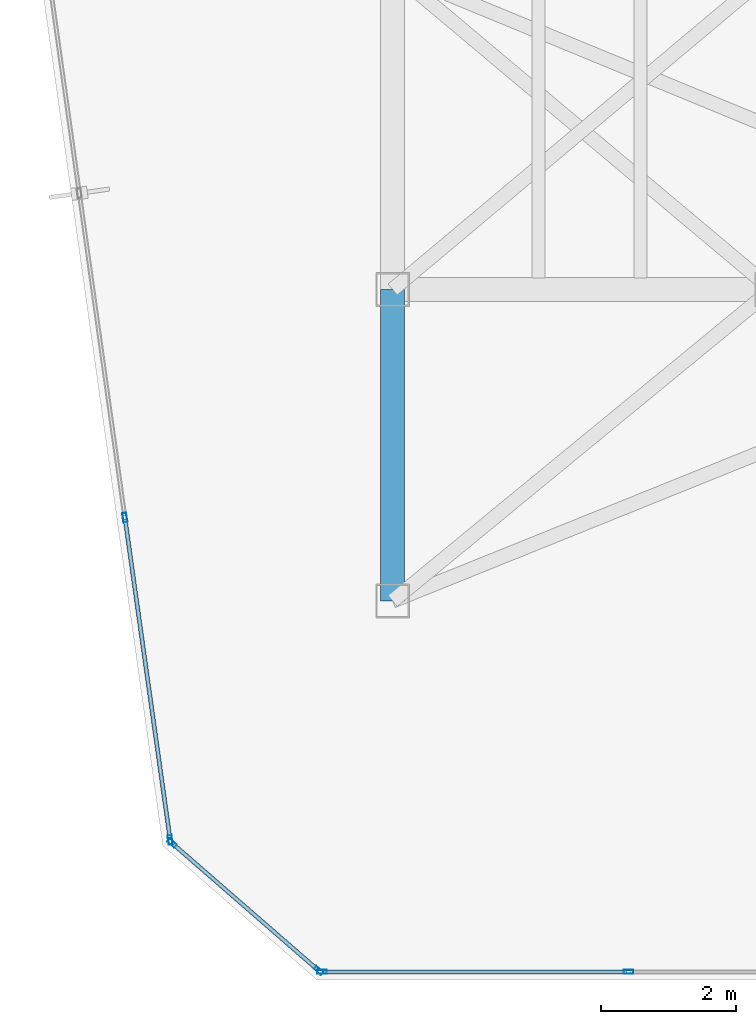
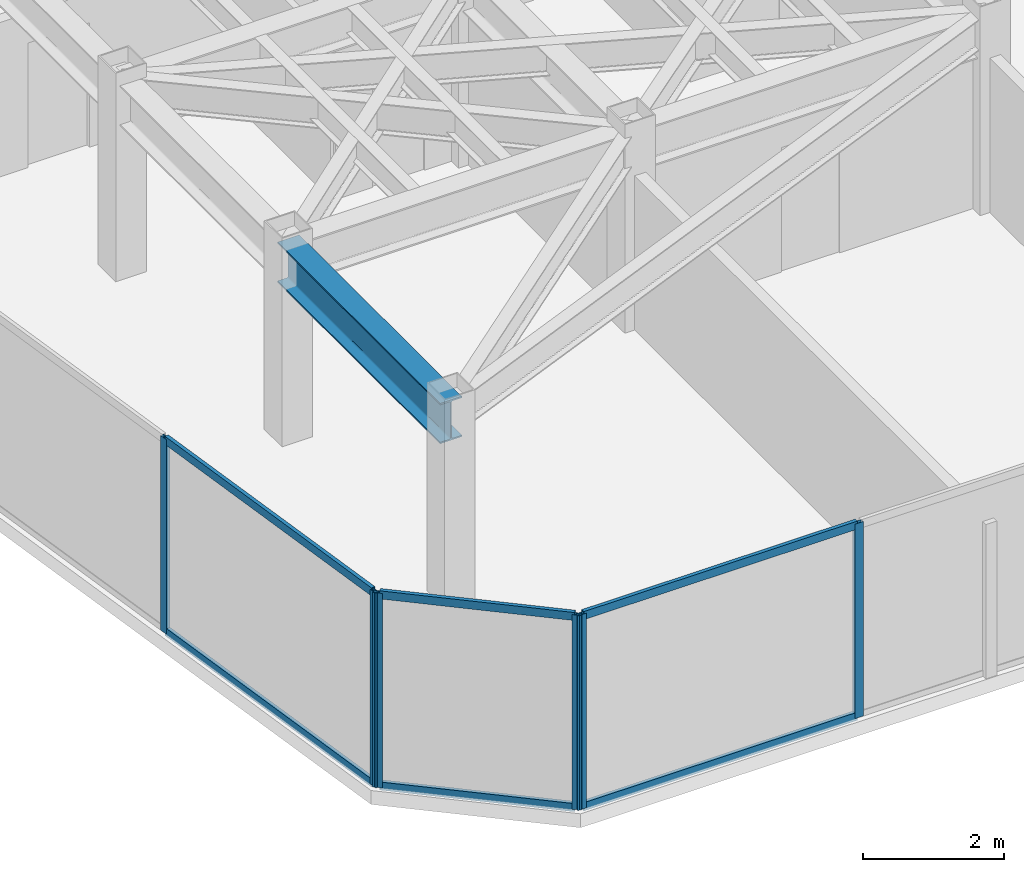
# One storey, part 2 of 20: 12 members, 1 beam, 3 elements without a shape of their own.
"""IFC4 building model written with IfcOpenShell, lengths in metres."""

from ifc_helpers import new_model, si_unit, direction, frame, origin, origin_2d, place, context, subcontext, project, spatial, hollow_rectangle, i_section, extrude, material, layer, layer_set, material_profile, profile_set, type_object, element, aggregate, save


model = new_model("IFC4")

# Units and contexts
model_context = context("Model", 3, precision=1e-05, world=origin(), true_north=direction((0.0, 1.0)))
body_context = subcontext(model_context, "Body", "Model", "MODEL_VIEW")
ifc_project = project(units=[si_unit("LENGTHUNIT", "METRE"), si_unit("AREAUNIT", "SQUARE_METRE"), si_unit("VOLUMEUNIT", "CUBIC_METRE"), si_unit("PLANEANGLEUNIT", "RADIAN"), si_unit("MASSUNIT", "GRAM", prefix="KILO")], contexts=[model_context])

# Site, building, storey
site_placement = place(None, origin())
site = spatial("IfcSite", under=ifc_project, at=site_placement, CompositionType="ELEMENT")
building_placement = place(site_placement, origin())
building = spatial("IfcBuilding", under=site, at=building_placement, Name="Kravanh Interchange Tower", CompositionType="ELEMENT")
storey_placement = place(building_placement, frame((0.0, 0.0, 238.199951171875)))
storey = spatial("IfcBuildingStorey", under=building, at=storey_placement, Name="L57", CompositionType="ELEMENT", Elevation=238.199951171875)

# Curtain wall, members
ifc_material_1 = material(Name="Anodised Bronze Aluminium", Category="aluminium")
ifc_layer = layer(ifc_material_1, 0.179931640625)
ifc_layer_set = layer_set([ifc_layer], Name="Unitised Curtain Wall System CW-HTL Luxury Hotel")
curtain_wall_type = type_object("IfcCurtainWallType", Name="Unitised Curtain Wall System CW-HTL Luxury Hotel", PredefinedType="NOTDEFINED", material=ifc_layer_set)
curtain_wall_1_placement = place(storey_placement, origin())
curtain_wall_1 = element("IfcCurtainWall", 1, at=curtain_wall_1_placement, inside=storey, type_object=curtain_wall_type, Name="L57 Unitised Curtain Wall CW-L57-01", PredefinedType="NOTDEFINED")
ifc_material_2 = material(Name="Anodised Bronze Aluminium", Category="aluminium")
ifc_material_profile_1 = material_profile(ifc_material_2, hollow_rectangle(XDim=0.06005859375, YDim=0.139892578125, WallThickness=0.00390625, at=origin_2d()), Name="ALU60X140X4")
ifc_profile_set_1 = profile_set([ifc_material_profile_1], Name="Anodised Bronze Aluminium")
member_type_1 = type_object("IfcMemberType", Name="Curtain Wall Mullion ALU60X140X4 Bronze", PredefinedType="MULLION", material=ifc_profile_set_1)
member_1_placement = place(storey_placement, frame((23.913330078125, 18.67138671875, 0.0), z_axis=(0.0, 0.0, 1.0), x_axis=(-0.990267623707, -0.13917626751, 0.0)))
member_1 = element("IfcMember", 2, at=member_1_placement, type_object=member_type_1, Name="CW-HTL mullion 1", PredefinedType="MULLION", context=body_context, shape_type="SweptSolid", body=[
    extrude(hollow_rectangle(XDim=0.06005859375, YDim=0.139892578125, WallThickness=0.00390625, at=origin_2d()), origin(), (0.0, 0.0, 1.0), 3.360107421875),
])
member_2_placement = place(storey_placement, frame((23.244384765625, 23.43115234375, 0.0), z_axis=(0.0, 0.0, 1.0), x_axis=(-0.990267623707, -0.13917626751, 0.0)))
member_2 = element("IfcMember", 3, at=member_2_placement, type_object=member_type_1, Name="CW-HTL mullion 2", PredefinedType="MULLION", context=body_context, shape_type="SweptSolid", body=[
    extrude(hollow_rectangle(XDim=0.06005859375, YDim=0.139892578125, WallThickness=0.00390625, at=origin_2d()), origin(), (0.0, 0.0, 1.0), 3.360107421875),
])

curtain_wall_2_placement = place(storey_placement, origin())
curtain_wall_2 = element("IfcCurtainWall", 4, at=curtain_wall_2_placement, inside=storey, type_object=curtain_wall_type, Name="L57 Unitised Curtain Wall CW-L57-06", PredefinedType="NOTDEFINED")
member_3_placement = place(storey_placement, frame((30.684326171875, 16.719970703125, 0.0), z_axis=(0.0, 0.0, 1.0), x_axis=(0.0, -1.0, 0.0)))
member_3 = element("IfcMember", 5, at=member_3_placement, type_object=member_type_1, Name="CW-HTL mullion 2", PredefinedType="MULLION", context=body_context, shape_type="SweptSolid", body=[
    extrude(hollow_rectangle(XDim=0.06005859375, YDim=0.139892578125, WallThickness=0.00390625, at=origin_2d()), origin(), (0.0, 0.0, 1.0), 3.360107421875),
])
member_4_placement = place(storey_placement, frame((26.158203125, 16.719970703125, 0.0), z_axis=(0.0, 0.0, 1.0), x_axis=(0.0, -1.0, 0.0)))
member_4 = element("IfcMember", 6, at=member_4_placement, type_object=member_type_1, Name="CW-HTL mullion 3", PredefinedType="MULLION", context=body_context, shape_type="SweptSolid", body=[
    extrude(hollow_rectangle(XDim=0.06005859375, YDim=0.139892578125, WallThickness=0.00390625, at=origin_2d()), origin(), (0.0, 0.0, 1.0), 3.360107421875),
])

curtain_wall_3_placement = place(storey_placement, origin())
curtain_wall_3 = element("IfcCurtainWall", 7, at=curtain_wall_3_placement, inside=storey, type_object=curtain_wall_type, Name="L57 Unitised Curtain Wall CW-L57-07", PredefinedType="NOTDEFINED")
member_5_placement = place(storey_placement, frame((26.10546875, 16.73974609375, 0.0), z_axis=(0.0, 0.0, 1.0), x_axis=(-0.656033323139, -0.75473192521, 0.0)))
member_5 = element("IfcMember", 8, at=member_5_placement, type_object=member_type_1, Name="CW-HTL mullion 1", PredefinedType="MULLION", context=body_context, shape_type="SweptSolid", body=[
    extrude(hollow_rectangle(XDim=0.06005859375, YDim=0.139892578125, WallThickness=0.00390625, at=origin_2d()), origin(), (0.0, 0.0, 1.0), 3.360107421875),
])
member_6_placement = place(storey_placement, frame((23.940185546875, 18.621826171875, 0.0), z_axis=(0.0, 0.0, 1.0), x_axis=(-0.656033323139, -0.75473192521, 0.0)))
member_6 = element("IfcMember", 9, at=member_6_placement, type_object=member_type_1, Name="CW-HTL mullion 2", PredefinedType="MULLION", context=body_context, shape_type="SweptSolid", body=[
    extrude(hollow_rectangle(XDim=0.06005859375, YDim=0.139892578125, WallThickness=0.00390625, at=origin_2d()), origin(), (0.0, 0.0, 1.0), 3.360107421875),
])

# Member
ifc_material_3 = material(Name="Anodised Bronze Aluminium", Category="aluminium")
ifc_material_profile_2 = material_profile(ifc_material_3, hollow_rectangle(XDim=0.06005859375, YDim=0.139892578125, WallThickness=0.00390625, at=origin_2d()), Name="ALU60X140X4")
ifc_profile_set_2 = profile_set([ifc_material_profile_2], Name="Anodised Bronze Aluminium")
member_type_2 = type_object("IfcMemberType", Name="Curtain Wall Transom ALU60X140X4 Bronze", PredefinedType="USERDEFINED", material=ifc_profile_set_2)
member_7_placement = place(storey_placement, frame((23.9091796875, 18.700927734375, 0.030029296875), z_axis=(-0.139174451053, 0.990267878997, 0.0), x_axis=(-0.990267878997, -0.139174451053, 0.0)))
member_7 = element("IfcMember", 10, at=member_7_placement, type_object=member_type_2, Name="CW-HTL transom 1.1", ObjectType="TRANSOM", PredefinedType="USERDEFINED", context=body_context, shape_type="SweptSolid", body=[
    extrude(hollow_rectangle(XDim=0.06005859375, YDim=0.139892578125, WallThickness=0.00390625, at=origin_2d()), origin(), (0.0, 0.0, 1.0), 4.746826171875),
])

member_8_placement = place(storey_placement, frame((23.9091796875, 18.700927734375, 3.330078125), z_axis=(-0.139174451053, 0.990267878997, 0.0), x_axis=(-0.990267878997, -0.139174451053, 0.0)))
member_8 = element("IfcMember", 11, at=member_8_placement, type_object=member_type_2, Name="CW-HTL transom 1.2", ObjectType="TRANSOM", PredefinedType="USERDEFINED", context=body_context, shape_type="SweptSolid", body=[
    extrude(hollow_rectangle(XDim=0.06005859375, YDim=0.139892578125, WallThickness=0.00390625, at=origin_2d()), origin(), (0.0, 0.0, 1.0), 4.746826171875),
])

aggregate(curtain_wall_1, [member_1, member_2, member_7, member_8])

member_9_placement = place(storey_placement, frame((30.654296875, 16.719970703125, 0.030029296875), z_axis=(-1.0, 0.0, 0.0), x_axis=(0.0, -1.0, 0.0)))
member_9 = element("IfcMember", 12, at=member_9_placement, type_object=member_type_2, Name="CW-HTL transom 2.1", ObjectType="TRANSOM", PredefinedType="USERDEFINED", context=body_context, shape_type="SweptSolid", body=[
    extrude(hollow_rectangle(XDim=0.06005859375, YDim=0.139892578125, WallThickness=0.00390625, at=origin_2d()), origin(), (0.0, 0.0, 1.0), 4.466064453125),
])

member_10_placement = place(storey_placement, frame((30.654296875, 16.719970703125, 3.330078125), z_axis=(-1.0, 0.0, 0.0), x_axis=(0.0, -1.0, 0.0)))
member_10 = element("IfcMember", 13, at=member_10_placement, type_object=member_type_2, Name="CW-HTL transom 2.2", ObjectType="TRANSOM", PredefinedType="USERDEFINED", context=body_context, shape_type="SweptSolid", body=[
    extrude(hollow_rectangle(XDim=0.06005859375, YDim=0.139892578125, WallThickness=0.00390625, at=origin_2d()), origin(), (0.0, 0.0, 1.0), 4.466064453125),
])

aggregate(curtain_wall_2, [member_3, member_4, member_9, member_10])

member_11_placement = place(storey_placement, frame((26.0830078125, 16.75927734375, 0.030029296875), z_axis=(-0.754704676026, 0.656064670581, 0.0), x_axis=(-0.656064670581, -0.754704676026, 0.0)))
member_11 = element("IfcMember", 14, at=member_11_placement, type_object=member_type_2, Name="CW-HTL transom 1.1", ObjectType="TRANSOM", PredefinedType="USERDEFINED", context=body_context, shape_type="SweptSolid", body=[
    extrude(hollow_rectangle(XDim=0.06005859375, YDim=0.139892578125, WallThickness=0.00390625, at=origin_2d()), origin(), (0.0, 0.0, 1.0), 2.80908203125),
])

member_12_placement = place(storey_placement, frame((26.0830078125, 16.75927734375, 3.330078125), z_axis=(-0.754704676026, 0.656064670581, 0.0), x_axis=(-0.656064670581, -0.754704676026, 0.0)))
member_12 = element("IfcMember", 15, at=member_12_placement, type_object=member_type_2, Name="CW-HTL transom 1.2", ObjectType="TRANSOM", PredefinedType="USERDEFINED", context=body_context, shape_type="SweptSolid", body=[
    extrude(hollow_rectangle(XDim=0.06005859375, YDim=0.139892578125, WallThickness=0.00390625, at=origin_2d()), origin(), (0.0, 0.0, 1.0), 2.80908203125),
])

aggregate(curtain_wall_3, [member_5, member_6, member_11, member_12])

# Beam
ifc_material_4 = material(Name="Structural Steel S355", Category="steel")
ifc_material_profile_3 = material_profile(ifc_material_4, i_section(OverallWidth=0.35498046875, OverallDepth=0.696044921875, WebThickness=0.015380859375, FlangeThickness=0.02490234375, FilletRadius=0.02392578125, at=origin_2d()), Name="W27X146")
ifc_profile_set_3 = profile_set([ifc_material_profile_3], Name="Structural Steel S355")
beam_type = type_object("IfcBeamType", Name="Floor Beam W27X146 Structural Steel S355", PredefinedType="BEAM", material=ifc_profile_set_3)
beam_placement = place(storey_placement, frame((27.199951171875, 22.199951171875, 3.011962890625), z_axis=(0.0, 1.0, 0.0), x_axis=(-1.0, 0.0, 0.0)))
element("IfcBeam", 16, at=beam_placement, inside=storey, type_object=beam_type, Name="L57 Primary Floor Girder 40", PredefinedType="BEAM", context=body_context, shape_type="SweptSolid", body=[
    extrude(i_section(OverallWidth=0.35498046875, OverallDepth=0.696044921875, WebThickness=0.015380859375, FlangeThickness=0.02490234375, FilletRadius=0.02392578125, at=origin_2d()), origin(), (0.0, 0.0, 1.0), 4.60009765625),
])

save(model, "model.ifc")
